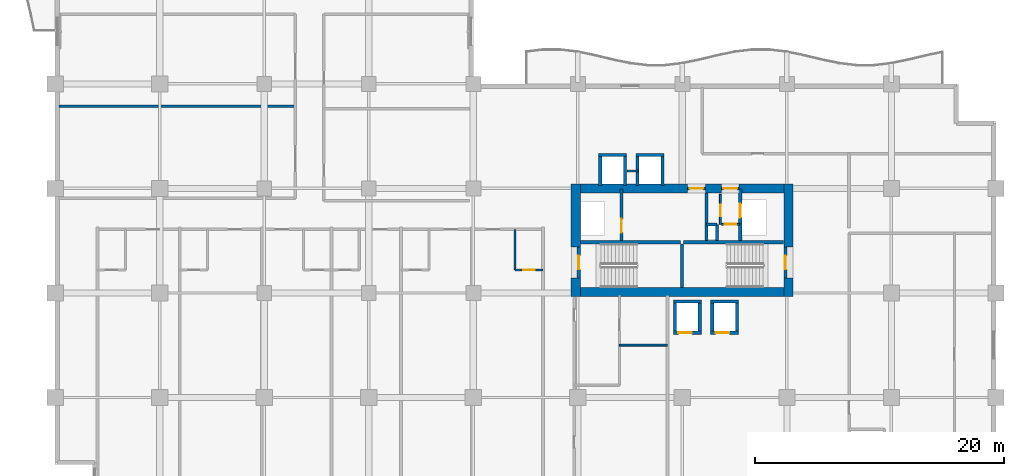
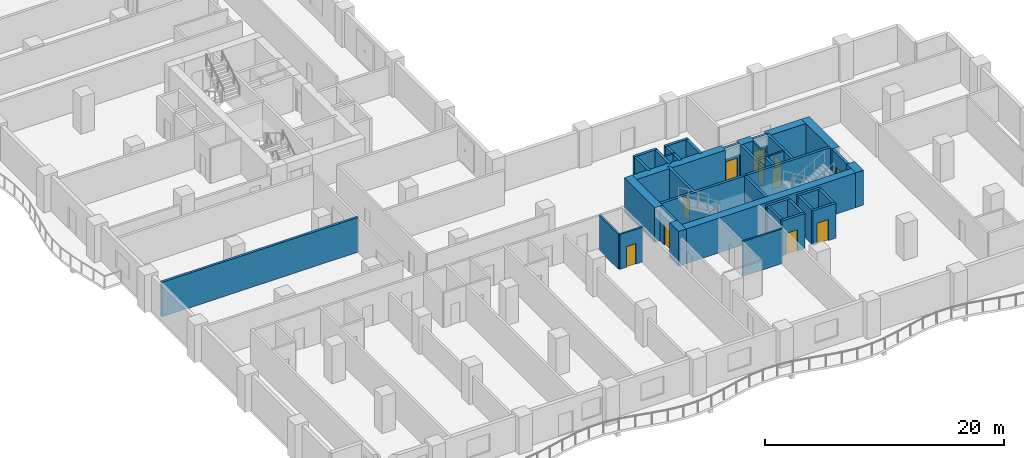
# One storey, part 5 of 17: 41 walls, 11 doors, 11 openings.
"""IFC4 building model written with IfcOpenShell, lengths in metres."""

from ifc_helpers import new_model, si_unit, direction, frame, frame_2d, origin, place, context, subcontext, project, spatial, rectangle, extrude, material, layer, layer_set, type_object, element, fill, save


model = new_model("IFC4")

# Units and contexts
model_context = context("Model", 3, precision=1e-05, world=origin(), true_north=direction((0.0, 1.0)))
body_context = subcontext(model_context, "Body", "Model", "MODEL_VIEW")
ifc_project = project(units=[si_unit("LENGTHUNIT", "METRE"), si_unit("AREAUNIT", "SQUARE_METRE"), si_unit("VOLUMEUNIT", "CUBIC_METRE"), si_unit("PLANEANGLEUNIT", "RADIAN"), si_unit("MASSUNIT", "GRAM", prefix="KILO")], contexts=[model_context])

# Site, building, storey
site_placement = place(None, origin())
site = spatial("IfcSite", under=ifc_project, at=site_placement, CompositionType="ELEMENT")
building_placement = place(site_placement, origin())
building = spatial("IfcBuilding", under=site, at=building_placement, Name="Koriwani Terraces Tower", CompositionType="ELEMENT")
storey_placement = place(building_placement, frame((0.0, 0.0, 130.39990234375)))
storey = spatial("IfcBuildingStorey", under=building, at=storey_placement, Name="L31", CompositionType="ELEMENT", Elevation=130.39990234375)

# Walls
ifc_material_1 = material(Name="Concrete C60/75", Category="concrete")
ifc_layer_1 = layer(ifc_material_1, 0.75, Name="Concrete C60/75")
ifc_layer_set_1 = layer_set([ifc_layer_1], Name="Concrete C60/75")
wall_type_1 = type_object("IfcWallType", Name="WALL_CORE_RC_750", PredefinedType="SHEAR", material=ifc_layer_set_1)
wall_1_placement = place(storey_placement, frame((41.824951171875, 16.5, 0.0), z_axis=(0.0, 0.0, 1.0), x_axis=(0.0, 1.0, 0.0)))
element("IfcWall", 1, at=wall_1_placement, inside=storey, type_object=wall_type_1, Name="L31 East Split Core Shear Wall W1", PredefinedType="SHEAR", context=body_context, shape_type="SweptSolid", body=[
    extrude(rectangle(XDim=1.5, YDim=0.75, at=frame_2d((0.75, 0.0))), origin(), (0.0, 0.0, 1.0), 3.550048828125),
])
wall_2_placement = place(storey_placement, frame((41.824951171875, 20.5, 0.0), z_axis=(0.0, 0.0, 1.0), x_axis=(0.0, 1.0, 0.0)))
element("IfcWall", 2, at=wall_2_placement, inside=storey, type_object=wall_type_1, Name="L31 East Split Core Shear Wall W2", PredefinedType="SHEAR", context=body_context, shape_type="SweptSolid", body=[
    extrude(rectangle(XDim=5.074951171875, YDim=0.75, at=frame_2d((2.53759765625, 0.0))), origin(), (0.0, 0.0, 1.0), 3.550048828125),
])
wall_3_placement = place(storey_placement, frame((58.925048828125, 16.5, 0.0), z_axis=(0.0, 0.0, 1.0), x_axis=(0.0, 1.0, 0.0)))
element("IfcWall", 3, at=wall_3_placement, inside=storey, type_object=wall_type_1, Name="L31 East Split Core Shear Wall E1", PredefinedType="SHEAR", context=body_context, shape_type="SweptSolid", body=[
    extrude(rectangle(XDim=1.5, YDim=0.75, at=frame_2d((0.75, 0.0))), origin(), (0.0, 0.0, 1.0), 3.550048828125),
])
wall_4_placement = place(storey_placement, frame((58.925048828125, 20.5, 0.0), z_axis=(0.0, 0.0, 1.0), x_axis=(0.0, 1.0, 0.0)))
element("IfcWall", 4, at=wall_4_placement, inside=storey, type_object=wall_type_1, Name="L31 East Split Core Shear Wall E2", PredefinedType="SHEAR", context=body_context, shape_type="SweptSolid", body=[
    extrude(rectangle(XDim=5.074951171875, YDim=0.75, at=frame_2d((2.53759765625, 0.0))), origin(), (0.0, 0.0, 1.0), 3.550048828125),
])
wall_5_placement = place(storey_placement, frame((42.199951171875, 16.875, 0.0), z_axis=(0.0, 0.0, 1.0), x_axis=(1.0, 0.0, 0.0)))
element("IfcWall", 5, at=wall_5_placement, inside=storey, type_object=wall_type_1, Name="L31 East Split Core Shear Wall S1", PredefinedType="SHEAR", context=body_context, shape_type="SweptSolid", body=[
    extrude(rectangle(XDim=16.35009765625, YDim=0.75, at=frame_2d((8.175048828125, 0.0))), origin(), (0.0, 0.0, 1.0), 3.550048828125),
])
wall_6_placement = place(storey_placement, frame((42.199951171875, 25.199951171875, 0.0), z_axis=(0.0, 0.0, 1.0), x_axis=(1.0, 0.0, 0.0)))
element("IfcWall", 6, at=wall_6_placement, inside=storey, type_object=wall_type_1, Name="L31 East Split Core Shear Wall N1", PredefinedType="SHEAR", context=body_context, shape_type="SweptSolid", body=[
    extrude(rectangle(XDim=8.60009765625, YDim=0.75, at=frame_2d((4.300048828125, 0.0))), origin(), (0.0, 0.0, 1.0), 3.550048828125),
])
wall_7_placement = place(storey_placement, frame((52.280029296875, 25.199951171875, 0.0), z_axis=(0.0, 0.0, 1.0), x_axis=(1.0, 0.0, 0.0)))
element("IfcWall", 7, at=wall_7_placement, inside=storey, type_object=wall_type_1, Name="L31 East Split Core Shear Wall N2", PredefinedType="SHEAR", context=body_context, shape_type="SweptSolid", body=[
    extrude(rectangle(XDim=1.27001953125, YDim=0.75, at=frame_2d((0.635009765625, 0.0))), origin(), (0.0, 0.0, 1.0), 3.550048828125),
])
wall_8_placement = place(storey_placement, frame((54.949951171875, 25.199951171875, 0.0), z_axis=(0.0, 0.0, 1.0), x_axis=(1.0, 0.0, 0.0)))
element("IfcWall", 8, at=wall_8_placement, inside=storey, type_object=wall_type_1, Name="L31 East Split Core Shear Wall N3", PredefinedType="SHEAR", context=body_context, shape_type="SweptSolid", body=[
    extrude(rectangle(XDim=3.60009765625, YDim=0.75, at=frame_2d((1.800048828125, 0.0))), origin(), (0.0, 0.0, 1.0), 3.550048828125),
])
ifc_material_2 = material(Name="Autoclaved Cellular Concrete Blockwork", Category="masonry")
ifc_layer_2 = layer(ifc_material_2, 0.219970703125, Name="Autoclaved Cellular Concrete Blockwork")
ifc_layer_set_2 = layer_set([ifc_layer_2], Name="Autoclaved Cellular Concrete Blockwork")
wall_type_2 = type_object("IfcWallType", Name="WALL_DEMISING_220", PredefinedType="PARTITIONING", material=ifc_layer_set_2)
wall_9_placement = place(storey_placement, frame((0.300048828125, 31.800048828125, 0.0), z_axis=(0.0, 0.0, 1.0), x_axis=(1.0, 0.0, 0.0)))
element("IfcWall", 9, at=wall_9_placement, inside=storey, type_object=wall_type_2, Name="L31 Interior Wall WC2NWCLM-L31", PredefinedType="PARTITIONING", context=body_context, shape_type="SweptSolid", body=[
    extrude(rectangle(XDim=19.0, YDim=0.219970703125, at=frame_2d((9.5, 0.0))), origin(), (0.0, 0.0, 1.0), 3.550048828125),
])

# Wall, opening, door
ifc_material_3 = material(Name="Fire-Rated Acoustic Gypsum Partition", Category="masonry")
ifc_layer_3 = layer(ifc_material_3, 0.179931640625, Name="Fire-Rated Acoustic Gypsum Partition")
ifc_layer_set_3 = layer_set([ifc_layer_3], Name="Fire-Rated Acoustic Gypsum Partition")
wall_type_3 = type_object("IfcWallType", Name="WALL_PLUMBING_180", PredefinedType="PLUMBINGWALL", material=ifc_layer_set_3)
wall_10_placement = place(storey_placement, frame((36.949951171875, 18.64990234375, 0.0), z_axis=(0.0, 0.0, 1.0), x_axis=(1.0, 0.0, 0.0)))
wall_10 = element("IfcWall", 10, at=wall_10_placement, inside=storey, type_object=wall_type_3, Name="L31 Interior Wall WBTH1-L31-SW-5", PredefinedType="PLUMBINGWALL", context=body_context, shape_type="SweptSolid", body=[
    extrude(rectangle(XDim=2.25, YDim=0.179931640625, at=frame_2d((1.125, 0.0))), origin(), (0.0, 0.0, 1.0), 3.550048828125),
])
opening_1_placement = place(wall_10_placement, frame((0.675048828125, 0.0, 0.0)))
opening_1 = element("IfcOpeningElement", 11, at=opening_1_placement, cuts=wall_10, Name="Opening D-07", PredefinedType="OPENING", context=body_context, shape_type="SweptSolid", body=[
    extrude(rectangle(XDim=0.89990234375, YDim=2.10009765625, at=frame_2d((0.449951171875, 1.050048828125))), frame((0.0, 0.10009765625, 0.0), z_axis=(0.0, -1.0, 0.0), x_axis=(1.0, 0.0, 0.0)), (0.0, 0.0, 1.0), 0.199951171875),
])
ifc_material_4 = material(Name="Architectural Oak Fire Door", Category="wood")
door_type_1 = type_object("IfcDoorType", Name="DOOR_BATH_INT_900X2100", OperationType="NOTDEFINED", PredefinedType="DOOR", material=ifc_material_4)
door_1_placement = place(opening_1_placement, origin())
door_1 = element("IfcDoor", 12, at=door_1_placement, inside=storey, type_object=door_type_1, Name="En-Suite Bathroom 31SW6 Door", OperationType="SINGLE_SWING_LEFT", OverallHeight=2.10009765625, OverallWidth=0.89990234375, PredefinedType="DOOR", context=body_context, shape_type="SweptSolid", body=[
    extrude(rectangle(XDim=0.89990234375, YDim=2.10009765625, at=frame_2d((0.449951171875, 1.050048828125))), frame((0.0, 0.02490234375, 0.0), z_axis=(0.0, -1.0, 0.0), x_axis=(1.0, 0.0, 0.0)), (0.0, 0.0, 1.0), 0.050048828125),
])
fill(opening_1, door_1)

# Walls
wall_11_placement = place(storey_placement, frame((36.949951171875, 18.64990234375, 0.0), z_axis=(0.0, 0.0, 1.0), x_axis=(0.0, 1.0, 0.0)))
element("IfcWall", 13, at=wall_11_placement, inside=storey, type_object=wall_type_3, Name="L31 Interior Wall WBTH2-L31-SW-5", PredefinedType="PLUMBINGWALL", context=body_context, shape_type="SweptSolid", body=[
    extrude(rectangle(XDim=3.25, YDim=0.179931640625, at=frame_2d((1.625, 0.0))), origin(), (0.0, 0.0, 1.0), 3.550048828125),
])
ifc_material_5 = material(Name="Concrete C40/50", Category="concrete")
ifc_layer_4 = layer(ifc_material_5, 0.25, Name="Concrete C40/50")
ifc_layer_set_4 = layer_set([ifc_layer_4], Name="Concrete C40/50")
wall_type_4 = type_object("IfcWallType", Name="WALL_SHAFT_RATED_250", PredefinedType="SOLIDWALL", material=ifc_layer_set_4)
for number, where, z_axis, x_axis, name in (
    (14, (42.199951171875, 20.875, 0.0), (0.0, 0.0, 1.0), (1.0, 0.0, 0.0), "L31 East Split Core Web Wall MID1"),
    (15, (50.5, 20.875, 0.0), (0.0, 0.0, 1.0), (1.0, 0.0, 0.0), "L31 East Split Core Web Wall MID2"),
):
    element("IfcWall", number, at=place(storey_placement, frame(where, z_axis=z_axis, x_axis=x_axis)), inside=storey, type_object=wall_type_4, Name=name, PredefinedType="SOLIDWALL", context=body_context, shape_type="SweptSolid", body=[
        extrude(rectangle(XDim=8.050048828125, YDim=0.25, at=frame_2d((4.02490234375, 0.0))), origin(), (0.0, 0.0, 1.0), 3.550048828125),
    ])
wall_12_placement = place(storey_placement, frame((50.375, 17.25, 0.0), z_axis=(0.0, 0.0, 1.0), x_axis=(0.0, 1.0, 0.0)))
element("IfcWall", 16, at=wall_12_placement, inside=storey, type_object=wall_type_4, Name="L31 East Split Core Stair Dividing Wall", PredefinedType="SOLIDWALL", context=body_context, shape_type="SweptSolid", body=[
    extrude(rectangle(XDim=3.5, YDim=0.25, at=frame_2d((1.75, 0.0))), origin(), (0.0, 0.0, 1.0), 3.550048828125),
])

# Wall, opening, door
wall_13_placement = place(storey_placement, frame((42.074951171875, 18.0, 0.0), z_axis=(0.0, 0.0, 1.0), x_axis=(0.0, 1.0, 0.0)))
wall_13 = element("IfcWall", 17, at=wall_13_placement, inside=storey, type_object=wall_type_4, Name="L31 Interior Wall WIN-CE-L31-STW", PredefinedType="SOLIDWALL", context=body_context, shape_type="SweptSolid", body=[
    extrude(rectangle(XDim=2.5, YDim=0.25, at=frame_2d((1.25, 0.0))), origin(), (0.0, 0.0, 1.0), 3.550048828125),
])
opening_2_placement = place(wall_13_placement, frame((0.699951171875, 0.0, 0.0)))
opening_2 = element("IfcOpeningElement", 18, at=opening_2_placement, cuts=wall_13, Name="Opening D-03", PredefinedType="OPENING", context=body_context, shape_type="SweptSolid", body=[
    extrude(rectangle(XDim=1.10009765625, YDim=2.14990234375, at=frame_2d((0.550048828125, 1.074951171875))), frame((0.0, 0.135009765625, 0.0), z_axis=(0.0, -1.0, 0.0), x_axis=(1.0, 0.0, 0.0)), (0.0, 0.0, 1.0), 0.27001953125),
])
ifc_material_6 = material(Name="Steel ASTM A572 Grade 50", Category="steel")
door_type_2 = type_object("IfcDoorType", Name="DOOR_STAIR_FIRE_1100X2150", OperationType="NOTDEFINED", PredefinedType="DOOR", material=ifc_material_6)
door_2_placement = place(opening_2_placement, origin())
door_2 = element("IfcDoor", 19, at=door_2_placement, inside=storey, type_object=door_type_2, Name="L31 Exit Stair ST-E1 Door", OperationType="SINGLE_SWING_LEFT", OverallHeight=2.14990234375, OverallWidth=1.10009765625, PredefinedType="DOOR", context=body_context, shape_type="SweptSolid", body=[
    extrude(rectangle(XDim=1.10009765625, YDim=2.14990234375, at=frame_2d((0.550048828125, 1.074951171875))), frame((0.0, 0.02490234375, 0.0), z_axis=(0.0, -1.0, 0.0), x_axis=(1.0, 0.0, 0.0)), (0.0, 0.0, 1.0), 0.050048828125),
])
fill(opening_2, door_2)

wall_14_placement = place(storey_placement, frame((58.675048828125, 18.0, 0.0), z_axis=(0.0, 0.0, 1.0), x_axis=(0.0, 1.0, 0.0)))
wall_14 = element("IfcWall", 20, at=wall_14_placement, inside=storey, type_object=wall_type_4, Name="L31 Interior Wall WIN-CE-L31-STE", PredefinedType="SOLIDWALL", context=body_context, shape_type="SweptSolid", body=[
    extrude(rectangle(XDim=2.5, YDim=0.25, at=frame_2d((1.25, 0.0))), origin(), (0.0, 0.0, 1.0), 3.550048828125),
])
opening_3_placement = place(wall_14_placement, frame((0.699951171875, 0.0, 0.0)))
opening_3 = element("IfcOpeningElement", 21, at=opening_3_placement, cuts=wall_14, Name="Opening D-03", PredefinedType="OPENING", context=body_context, shape_type="SweptSolid", body=[
    extrude(rectangle(XDim=1.10009765625, YDim=2.14990234375, at=frame_2d((0.550048828125, 1.074951171875))), frame((0.0, 0.135009765625, 0.0), z_axis=(0.0, -1.0, 0.0), x_axis=(1.0, 0.0, 0.0)), (0.0, 0.0, 1.0), 0.27001953125),
])
door_3_placement = place(opening_3_placement, origin())
door_3 = element("IfcDoor", 22, at=door_3_placement, inside=storey, type_object=door_type_2, Name="L31 Exit Stair ST-E2 Door", OperationType="SINGLE_SWING_RIGHT", OverallHeight=2.14990234375, OverallWidth=1.10009765625, PredefinedType="DOOR", context=body_context, shape_type="SweptSolid", body=[
    extrude(rectangle(XDim=1.10009765625, YDim=2.14990234375, at=frame_2d((0.550048828125, 1.074951171875))), frame((0.0, 0.02490234375, 0.0), z_axis=(0.0, -1.0, 0.0), x_axis=(1.0, 0.0, 0.0)), (0.0, 0.0, 1.0), 0.050048828125),
])
fill(opening_3, door_3)

wall_15_placement = place(storey_placement, frame((45.5, 21.0, 0.0), z_axis=(0.0, 0.0, 1.0), x_axis=(0.0, 1.0, 0.0)))
wall_15 = element("IfcWall", 23, at=wall_15_placement, inside=storey, type_object=wall_type_4, Name="L31 Interior Wall WIN-CE-L31-FE", PredefinedType="SOLIDWALL", context=body_context, shape_type="SweptSolid", body=[
    extrude(rectangle(XDim=4.14990234375, YDim=0.25, at=frame_2d((2.074951171875, 0.0))), origin(), (0.0, 0.0, 1.0), 3.550048828125),
])
opening_4_placement = place(wall_15_placement, frame((0.64990234375, 0.0, 0.0)))
opening_4 = element("IfcOpeningElement", 24, at=opening_4_placement, cuts=wall_15, Name="Opening LD-01", PredefinedType="OPENING", context=body_context, shape_type="SweptSolid", body=[
    extrude(rectangle(XDim=1.10009765625, YDim=2.14990234375, at=frame_2d((0.550048828125, 1.074951171875))), frame((0.0, 0.135009765625, 0.0), z_axis=(0.0, -1.0, 0.0), x_axis=(1.0, 0.0, 0.0)), (0.0, 0.0, 1.0), 0.27001953125),
])
door_type_3 = type_object("IfcDoorType", Name="DOOR_LIFT_LANDING_1100X2200", OperationType="NOTDEFINED", PredefinedType="DOOR", material=ifc_material_6)
door_4_placement = place(opening_4_placement, origin())
door_4 = element("IfcDoor", 25, at=door_4_placement, inside=storey, type_object=door_type_3, Name="L31 Firefighting Lift FE-02 Landing Door", OperationType="SLIDING_TO_LEFT", OverallHeight=2.14990234375, OverallWidth=1.10009765625, PredefinedType="DOOR", context=body_context, shape_type="SweptSolid", body=[
    extrude(rectangle(XDim=1.10009765625, YDim=2.14990234375, at=frame_2d((0.550048828125, 1.074951171875))), frame((0.0, 0.02490234375, 0.0), z_axis=(0.0, -1.0, 0.0), x_axis=(1.0, 0.0, 0.0)), (0.0, 0.0, 1.0), 0.050048828125),
])
fill(opening_4, door_4)

wall_16_placement = place(storey_placement, frame((50.800048828125, 25.199951171875, 0.0), z_axis=(0.0, 0.0, 1.0), x_axis=(1.0, 0.0, 0.0)))
wall_16 = element("IfcWall", 26, at=wall_16_placement, inside=storey, type_object=wall_type_4, Name="L31 Interior Wall WIN-CE-L31-NP", PredefinedType="SOLIDWALL", context=body_context, shape_type="SweptSolid", body=[
    extrude(rectangle(XDim=1.47998046875, YDim=0.25, at=frame_2d((0.739990234375, 0.0))), origin(), (0.0, 0.0, 1.0), 3.550048828125),
])
opening_5_placement = place(wall_16_placement, frame((0.179931640625, 0.0, 0.0)))
opening_5 = element("IfcOpeningElement", 27, at=opening_5_placement, cuts=wall_16, Name="Opening D-03", PredefinedType="OPENING", context=body_context, shape_type="SweptSolid", body=[
    extrude(rectangle(XDim=1.10009765625, YDim=2.14990234375, at=frame_2d((0.550048828125, 1.074951171875))), frame((0.0, 0.135009765625, 0.0), z_axis=(0.0, -1.0, 0.0), x_axis=(1.0, 0.0, 0.0)), (0.0, 0.0, 1.0), 0.27001953125),
])
door_5_placement = place(opening_5_placement, origin())
door_5 = element("IfcDoor", 28, at=door_5_placement, inside=storey, type_object=door_type_2, Name="L31 East Firefighting Lobby Door", OperationType="SINGLE_SWING_LEFT", OverallHeight=2.14990234375, OverallWidth=1.10009765625, PredefinedType="DOOR", context=body_context, shape_type="SweptSolid", body=[
    extrude(rectangle(XDim=1.10009765625, YDim=2.14990234375, at=frame_2d((0.550048828125, 1.074951171875))), frame((0.0, 0.02490234375, 0.0), z_axis=(0.0, -1.0, 0.0), x_axis=(1.0, 0.0, 0.0)), (0.0, 0.0, 1.0), 0.050048828125),
])
fill(opening_5, door_5)

# Wall
wall_17_placement = place(storey_placement, frame((52.340087890625, 21.0, 0.0), z_axis=(0.0, 0.0, 1.0), x_axis=(0.0, 1.0, 0.0)))
element("IfcWall", 29, at=wall_17_placement, inside=storey, type_object=wall_type_4, Name="L31 Interior Wall WIN-CE-L31-FFE", PredefinedType="SOLIDWALL", context=body_context, shape_type="SweptSolid", body=[
    extrude(rectangle(XDim=3.824951171875, YDim=0.25, at=frame_2d((1.91259765625, 0.0))), origin(), (0.0, 0.0, 1.0), 3.550048828125),
])

# Wall, opening, door
wall_18_placement = place(storey_placement, frame((55.050048828125, 21.0, 0.0), z_axis=(0.0, 0.0, 1.0), x_axis=(0.0, 1.0, 0.0)))
wall_18 = element("IfcWall", 30, at=wall_18_placement, inside=storey, type_object=wall_type_4, Name="L31 Interior Wall WIN-CE-L31-SE", PredefinedType="SOLIDWALL", context=body_context, shape_type="SweptSolid", body=[
    extrude(rectangle(XDim=4.14990234375, YDim=0.25, at=frame_2d((2.074951171875, 0.0))), origin(), (0.0, 0.0, 1.0), 3.550048828125),
])
opening_6_placement = place(wall_18_placement, frame((1.85009765625, 0.0, 0.0)))
opening_6 = element("IfcOpeningElement", 31, at=opening_6_placement, cuts=wall_18, Name="Opening LD-01", PredefinedType="OPENING", context=body_context, shape_type="SweptSolid", body=[
    extrude(rectangle(XDim=1.10009765625, YDim=2.14990234375, at=frame_2d((0.550048828125, 1.074951171875))), frame((0.0, 0.135009765625, 0.0), z_axis=(0.0, -1.0, 0.0), x_axis=(1.0, 0.0, 0.0)), (0.0, 0.0, 1.0), 0.27001953125),
])
door_6_placement = place(opening_6_placement, origin())
door_6 = element("IfcDoor", 32, at=door_6_placement, inside=storey, type_object=door_type_3, Name="L31 Goods Lift SE-02 Landing Door", OperationType="SLIDING_TO_LEFT", OverallHeight=2.14990234375, OverallWidth=1.10009765625, PredefinedType="DOOR", context=body_context, shape_type="SweptSolid", body=[
    extrude(rectangle(XDim=1.10009765625, YDim=2.14990234375, at=frame_2d((0.550048828125, 1.074951171875))), frame((0.0, 0.02490234375, 0.0), z_axis=(0.0, -1.0, 0.0), x_axis=(1.0, 0.0, 0.0)), (0.0, 0.0, 1.0), 0.050048828125),
])
fill(opening_6, door_6)

wall_19_placement = place(storey_placement, frame((53.550048828125, 25.199951171875, 0.0), z_axis=(0.0, 0.0, 1.0), x_axis=(1.0, 0.0, 0.0)))
wall_19 = element("IfcWall", 33, at=wall_19_placement, inside=storey, type_object=wall_type_4, Name="L31 Interior Wall WIN-CE-L31-NP2", PredefinedType="SOLIDWALL", context=body_context, shape_type="SweptSolid", body=[
    extrude(rectangle(XDim=1.39990234375, YDim=0.25, at=frame_2d((0.699951171875, 0.0))), origin(), (0.0, 0.0, 1.0), 3.550048828125),
])
opening_7_placement = place(wall_19_placement, frame((0.14990234375, 0.0, 0.0)))
opening_7 = element("IfcOpeningElement", 34, at=opening_7_placement, cuts=wall_19, Name="Opening D-03", PredefinedType="OPENING", context=body_context, shape_type="SweptSolid", body=[
    extrude(rectangle(XDim=1.10009765625, YDim=2.14990234375, at=frame_2d((0.550048828125, 1.074951171875))), frame((0.0, 0.135009765625, 0.0), z_axis=(0.0, -1.0, 0.0), x_axis=(1.0, 0.0, 0.0)), (0.0, 0.0, 1.0), 0.27001953125),
])
door_7_placement = place(opening_7_placement, origin())
door_7 = element("IfcDoor", 35, at=door_7_placement, inside=storey, type_object=door_type_2, Name="L31 East Goods Lift Lobby Door", OperationType="SINGLE_SWING_RIGHT", OverallHeight=2.14990234375, OverallWidth=1.10009765625, PredefinedType="DOOR", context=body_context, shape_type="SweptSolid", body=[
    extrude(rectangle(XDim=1.10009765625, YDim=2.14990234375, at=frame_2d((0.550048828125, 1.074951171875))), frame((0.0, 0.02490234375, 0.0), z_axis=(0.0, -1.0, 0.0), x_axis=(1.0, 0.0, 0.0)), (0.0, 0.0, 1.0), 0.050048828125),
])
fill(opening_7, door_7)

# Walls
wall_20_placement = place(storey_placement, frame((53.199951171875, 21.0, 0.0), z_axis=(0.0, 0.0, 1.0), x_axis=(0.0, 1.0, 0.0)))
element("IfcWall", 36, at=wall_20_placement, inside=storey, type_object=wall_type_4, Name="L31 Interior Wall WIN-CE-L31-RS1", PredefinedType="SOLIDWALL", context=body_context, shape_type="SweptSolid", body=[
    extrude(rectangle(XDim=1.300048828125, YDim=0.25, at=frame_2d((0.64990234375, 0.0))), origin(), (0.0, 0.0, 1.0), 3.550048828125),
])
wall_21_placement = place(storey_placement, frame((52.360107421875, 22.300048828125, 0.0), z_axis=(0.0, 0.0, 1.0), x_axis=(1.0, 0.0, 0.0)))
element("IfcWall", 37, at=wall_21_placement, inside=storey, type_object=wall_type_4, Name="L31 Interior Wall WIN-CE-L31-RS2", PredefinedType="SOLIDWALL", context=body_context, shape_type="SweptSolid", body=[
    extrude(rectangle(XDim=0.83984375, YDim=0.25, at=frame_2d((0.419921875, 0.0))), origin(), (0.0, 0.0, 1.0), 3.550048828125),
])

# Wall, opening, door
wall_22_placement = place(storey_placement, frame((49.675048828125, 13.60009765625, 0.0), z_axis=(0.0, 0.0, 1.0), x_axis=(1.0, 0.0, 0.0)))
wall_22 = element("IfcWall", 38, at=wall_22_placement, inside=storey, type_object=wall_type_4, Name="L31 Interior Wall WIN-LF-PE-M3-L31-F", PredefinedType="SOLIDWALL", context=body_context, shape_type="SweptSolid", body=[
    extrude(rectangle(XDim=2.25, YDim=0.25, at=frame_2d((1.125, 0.0))), origin(), (0.0, 0.0, 1.0), 3.550048828125),
])
opening_8_placement = place(wall_22_placement, frame((0.39990234375, 0.0, 0.0)))
opening_8 = element("IfcOpeningElement", 39, at=opening_8_placement, cuts=wall_22, Name="Opening LD-01", PredefinedType="OPENING", context=body_context, shape_type="SweptSolid", body=[
    extrude(rectangle(XDim=1.10009765625, YDim=2.14990234375, at=frame_2d((0.550048828125, 1.074951171875))), frame((0.0, 0.135009765625, 0.0), z_axis=(0.0, -1.0, 0.0), x_axis=(1.0, 0.0, 0.0)), (0.0, 0.0, 1.0), 0.27001953125),
])
door_8_placement = place(opening_8_placement, origin())
door_8 = element("IfcDoor", 40, at=door_8_placement, inside=storey, type_object=door_type_3, Name="L31 Passenger Lift PE-M3 Landing Door", OperationType="SLIDING_TO_LEFT", OverallHeight=2.14990234375, OverallWidth=1.10009765625, PredefinedType="DOOR", context=body_context, shape_type="SweptSolid", body=[
    extrude(rectangle(XDim=1.10009765625, YDim=2.14990234375, at=frame_2d((0.550048828125, 1.074951171875))), frame((0.0, 0.02490234375, 0.0), z_axis=(0.0, -1.0, 0.0), x_axis=(1.0, 0.0, 0.0)), (0.0, 0.0, 1.0), 0.050048828125),
])
fill(opening_8, door_8)

# Walls
for number, where, z_axis, x_axis, name in (
    (41, (49.675048828125, 16.10009765625, 0.0), (0.0, 0.0, 1.0), (1.0, 0.0, 0.0), "L31 Interior Wall WIN-LF-PE-M3-L31-B"),
    (42, (49.800048828125, 13.72509765625, 0.0), (0.0, 0.0, 1.0), (0.0, 1.0, 0.0), "L31 Interior Wall WIN-LF-PE-M3-L31-W"),
    (43, (51.800048828125, 13.72509765625, 0.0), (0.0, 0.0, 1.0), (0.0, 1.0, 0.0), "L31 Interior Wall WIN-LF-PE-M3-L31-E"),
):
    element("IfcWall", number, at=place(storey_placement, frame(where, z_axis=z_axis, x_axis=x_axis)), inside=storey, type_object=wall_type_4, Name=name, PredefinedType="SOLIDWALL", context=body_context, shape_type="SweptSolid", body=[
        extrude(rectangle(XDim=2.25, YDim=0.25, at=frame_2d((1.125, 0.0))), origin(), (0.0, 0.0, 1.0), 3.550048828125),
    ])

# Wall, opening, door
wall_23_placement = place(storey_placement, frame((52.675048828125, 13.60009765625, 0.0), z_axis=(0.0, 0.0, 1.0), x_axis=(1.0, 0.0, 0.0)))
wall_23 = element("IfcWall", 44, at=wall_23_placement, inside=storey, type_object=wall_type_4, Name="L31 Interior Wall WIN-LF-PE-M4-L31-F", PredefinedType="SOLIDWALL", context=body_context, shape_type="SweptSolid", body=[
    extrude(rectangle(XDim=2.25, YDim=0.25, at=frame_2d((1.125, 0.0))), origin(), (0.0, 0.0, 1.0), 3.550048828125),
])
opening_9_placement = place(wall_23_placement, frame((0.39990234375, 0.0, 0.0)))
opening_9 = element("IfcOpeningElement", 45, at=opening_9_placement, cuts=wall_23, Name="Opening LD-01", PredefinedType="OPENING", context=body_context, shape_type="SweptSolid", body=[
    extrude(rectangle(XDim=1.10009765625, YDim=2.14990234375, at=frame_2d((0.550048828125, 1.074951171875))), frame((0.0, 0.135009765625, 0.0), z_axis=(0.0, -1.0, 0.0), x_axis=(1.0, 0.0, 0.0)), (0.0, 0.0, 1.0), 0.27001953125),
])
door_9_placement = place(opening_9_placement, origin())
door_9 = element("IfcDoor", 46, at=door_9_placement, inside=storey, type_object=door_type_3, Name="L31 Passenger Lift PE-M4 Landing Door", OperationType="SLIDING_TO_LEFT", OverallHeight=2.14990234375, OverallWidth=1.10009765625, PredefinedType="DOOR", context=body_context, shape_type="SweptSolid", body=[
    extrude(rectangle(XDim=1.10009765625, YDim=2.14990234375, at=frame_2d((0.550048828125, 1.074951171875))), frame((0.0, 0.02490234375, 0.0), z_axis=(0.0, -1.0, 0.0), x_axis=(1.0, 0.0, 0.0)), (0.0, 0.0, 1.0), 0.050048828125),
])
fill(opening_9, door_9)

# Walls
for number, where, z_axis, x_axis, name in (
    (47, (52.675048828125, 16.10009765625, 0.0), (0.0, 0.0, 1.0), (1.0, 0.0, 0.0), "L31 Interior Wall WIN-LF-PE-M4-L31-B"),
    (48, (52.800048828125, 13.72509765625, 0.0), (0.0, 0.0, 1.0), (0.0, 1.0, 0.0), "L31 Interior Wall WIN-LF-PE-M4-L31-W"),
    (49, (54.800048828125, 13.72509765625, 0.0), (0.0, 0.0, 1.0), (0.0, 1.0, 0.0), "L31 Interior Wall WIN-LF-PE-M4-L31-E"),
    (50, (43.675048828125, 27.89990234375, 0.0), (0.0, 0.0, 1.0), (1.0, 0.0, 0.0), "L31 Interior Wall WIN-LF-PE-H3-L31-F"),
):
    element("IfcWall", number, at=place(storey_placement, frame(where, z_axis=z_axis, x_axis=x_axis)), inside=storey, type_object=wall_type_4, Name=name, PredefinedType="SOLIDWALL", context=body_context, shape_type="SweptSolid", body=[
        extrude(rectangle(XDim=2.25, YDim=0.25, at=frame_2d((1.125, 0.0))), origin(), (0.0, 0.0, 1.0), 3.550048828125),
    ])
for number, where, z_axis, x_axis, name in (
    (51, (43.800048828125, 25.449951171875, 0.0), (0.0, 0.0, 1.0), (0.0, 1.0, 0.0), "L31 Interior Wall WIN-LF-PE-H3-L31-W"),
    (52, (45.800048828125, 25.449951171875, 0.0), (0.0, 0.0, 1.0), (0.0, 1.0, 0.0), "L31 Interior Wall WIN-LF-PE-H3-L31-E"),
):
    element("IfcWall", number, at=place(storey_placement, frame(where, z_axis=z_axis, x_axis=x_axis)), inside=storey, type_object=wall_type_4, Name=name, PredefinedType="SOLIDWALL", context=body_context, shape_type="SweptSolid", body=[
        extrude(rectangle(XDim=2.324951171875, YDim=0.25, at=frame_2d((1.16259765625, 0.0))), origin(), (0.0, 0.0, 1.0), 3.550048828125),
    ])
wall_24_placement = place(storey_placement, frame((46.675048828125, 27.89990234375, 0.0), z_axis=(0.0, 0.0, 1.0), x_axis=(1.0, 0.0, 0.0)))
element("IfcWall", 53, at=wall_24_placement, inside=storey, type_object=wall_type_4, Name="L31 Interior Wall WIN-LF-PE-H4-L31-F", PredefinedType="SOLIDWALL", context=body_context, shape_type="SweptSolid", body=[
    extrude(rectangle(XDim=2.25, YDim=0.25, at=frame_2d((1.125, 0.0))), origin(), (0.0, 0.0, 1.0), 3.550048828125),
])
for number, where, z_axis, x_axis, name in (
    (54, (46.800048828125, 25.449951171875, 0.0), (0.0, 0.0, 1.0), (0.0, 1.0, 0.0), "L31 Interior Wall WIN-LF-PE-H4-L31-W"),
    (55, (48.800048828125, 25.449951171875, 0.0), (0.0, 0.0, 1.0), (0.0, 1.0, 0.0), "L31 Interior Wall WIN-LF-PE-H4-L31-E"),
):
    element("IfcWall", number, at=place(storey_placement, frame(where, z_axis=z_axis, x_axis=x_axis)), inside=storey, type_object=wall_type_4, Name=name, PredefinedType="SOLIDWALL", context=body_context, shape_type="SweptSolid", body=[
        extrude(rectangle(XDim=2.324951171875, YDim=0.25, at=frame_2d((1.16259765625, 0.0))), origin(), (0.0, 0.0, 1.0), 3.550048828125),
    ])

# Wall, opening, door
ifc_layer_5 = layer(ifc_material_3, 0.159912109375, Name="Fire-Rated Acoustic Gypsum Partition")
ifc_layer_set_5 = layer_set([ifc_layer_5], Name="Fire-Rated Acoustic Gypsum Partition")
wall_type_5 = type_object("IfcWallType", Name="WALL_SUITE_160", PredefinedType="PARTITIONING", material=ifc_layer_set_5)
wall_25_placement = place(storey_placement, frame((53.56005859375, 22.320068359375, 0.0), z_axis=(0.0, 0.0, 1.0), x_axis=(1.0, 0.0, 0.0)))
wall_25 = element("IfcWall", 56, at=wall_25_placement, inside=storey, type_object=wall_type_5, Name="L31 Interior Wall WIN-CE-L31-SV1A", PredefinedType="PARTITIONING", context=body_context, shape_type="SweptSolid", body=[
    extrude(rectangle(XDim=1.43994140625, YDim=0.159912109375, at=frame_2d((0.719970703125, 0.0))), origin(), (0.0, 0.0, 1.0), 3.550048828125),
])
opening_10_placement = place(wall_25_placement, frame((0.260009765625, 0.0, 0.0)))
opening_10 = element("IfcOpeningElement", 57, at=opening_10_placement, cuts=wall_25, Name="Opening D-07", PredefinedType="OPENING", context=body_context, shape_type="SweptSolid", body=[
    extrude(rectangle(XDim=0.89990234375, YDim=2.10009765625, at=frame_2d((0.449951171875, 1.050048828125))), frame((0.0, 0.08984375, 0.0), z_axis=(0.0, -1.0, 0.0), x_axis=(1.0, 0.0, 0.0)), (0.0, 0.0, 1.0), 0.179931640625),
])
door_10_placement = place(opening_10_placement, origin())
door_10 = element("IfcDoor", 58, at=door_10_placement, inside=storey, type_object=door_type_1, Name="L31 East Telecom Room Door", OperationType="SINGLE_SWING_LEFT", OverallHeight=2.10009765625, OverallWidth=0.89990234375, PredefinedType="DOOR", context=body_context, shape_type="SweptSolid", body=[
    extrude(rectangle(XDim=0.89990234375, YDim=2.10009765625, at=frame_2d((0.449951171875, 1.050048828125))), frame((0.0, 0.02490234375, 0.0), z_axis=(0.0, -1.0, 0.0), x_axis=(1.0, 0.0, 0.0)), (0.0, 0.0, 1.0), 0.050048828125),
])
fill(opening_10, door_10)

wall_26_placement = place(storey_placement, frame((53.4599609375, 22.320068359375, 0.0), z_axis=(0.0, 0.0, 1.0), x_axis=(0.0, 1.0, 0.0)))
wall_26 = element("IfcWall", 59, at=wall_26_placement, inside=storey, type_object=wall_type_5, Name="L31 Interior Wall WIN-CE-L31-SV1B", PredefinedType="PARTITIONING", context=body_context, shape_type="SweptSolid", body=[
    extrude(rectangle(XDim=2.39990234375, YDim=0.159912109375, at=frame_2d((1.199951171875, 0.0))), origin(), (0.0, 0.0, 1.0), 3.550048828125),
])
opening_11_placement = place(wall_26_placement, frame((0.64990234375, 0.0, 0.0)))
opening_11 = element("IfcOpeningElement", 60, at=opening_11_placement, cuts=wall_26, Name="Opening D-07", PredefinedType="OPENING", context=body_context, shape_type="SweptSolid", body=[
    extrude(rectangle(XDim=0.89990234375, YDim=2.10009765625, at=frame_2d((0.449951171875, 1.050048828125))), frame((0.0, 0.08984375, 0.0), z_axis=(0.0, -1.0, 0.0), x_axis=(1.0, 0.0, 0.0)), (0.0, 0.0, 1.0), 0.179931640625),
])
door_11_placement = place(opening_11_placement, origin())
door_11 = element("IfcDoor", 61, at=door_11_placement, inside=storey, type_object=door_type_1, Name="L31 East Cleaners Closet Door", OperationType="SINGLE_SWING_RIGHT", OverallHeight=2.10009765625, OverallWidth=0.89990234375, PredefinedType="DOOR", context=body_context, shape_type="SweptSolid", body=[
    extrude(rectangle(XDim=0.89990234375, YDim=2.10009765625, at=frame_2d((0.449951171875, 1.050048828125))), frame((0.0, 0.02490234375, 0.0), z_axis=(0.0, -1.0, 0.0), x_axis=(1.0, 0.0, 0.0)), (0.0, 0.0, 1.0), 0.050048828125),
])
fill(opening_11, door_11)

# Walls
wall_27_placement = place(storey_placement, frame((45.9599609375, 26.60009765625, 0.0), z_axis=(0.0, 0.0, 1.0), x_axis=(1.0, 0.0, 0.0)))
element("IfcWall", 62, at=wall_27_placement, inside=storey, type_object=wall_type_5, Name="L31 Interior Wall WIN-LF-PEH34-MID-L31", PredefinedType="PARTITIONING", context=body_context, shape_type="SweptSolid", body=[
    extrude(rectangle(XDim=0.880126953125, YDim=0.159912109375, at=frame_2d((0.43994140625, 0.0))), origin(), (0.0, 0.0, 1.0), 3.550048828125),
])
wall_28_placement = place(storey_placement, frame((45.35009765625, 12.60009765625, 0.0), z_axis=(0.0, 0.0, 1.0), x_axis=(1.0, 0.0, 0.0)))
element("IfcWall", 63, at=wall_28_placement, inside=storey, type_object=wall_type_5, Name="L31 Interior Wall WREC-EM2-L31", PredefinedType="PARTITIONING", context=body_context, shape_type="SweptSolid", body=[
    extrude(rectangle(XDim=3.849853515625, YDim=0.159912109375, at=frame_2d((1.9248046875, 0.0))), origin(), (0.0, 0.0, 1.0), 3.550048828125),
])

save(model, "model.ifc")
